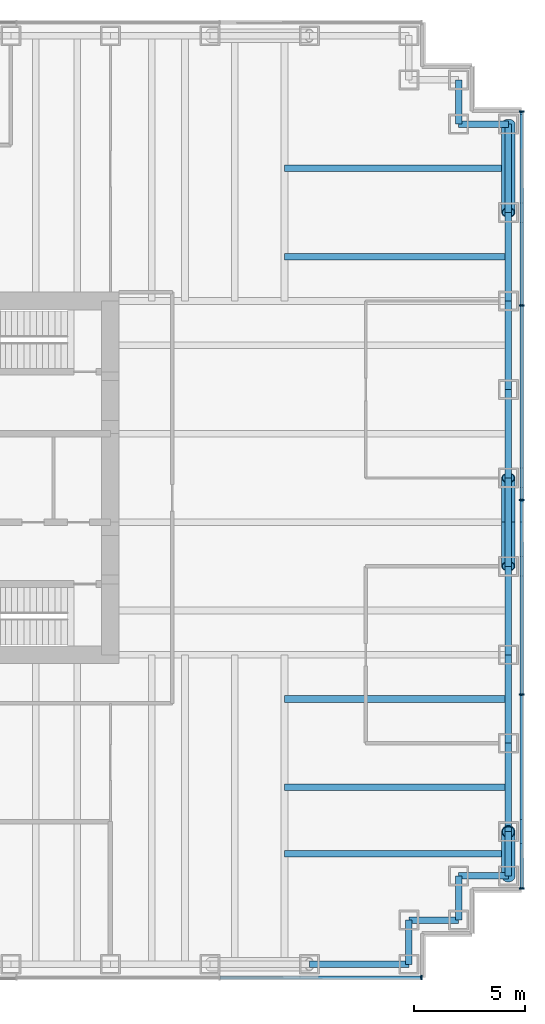
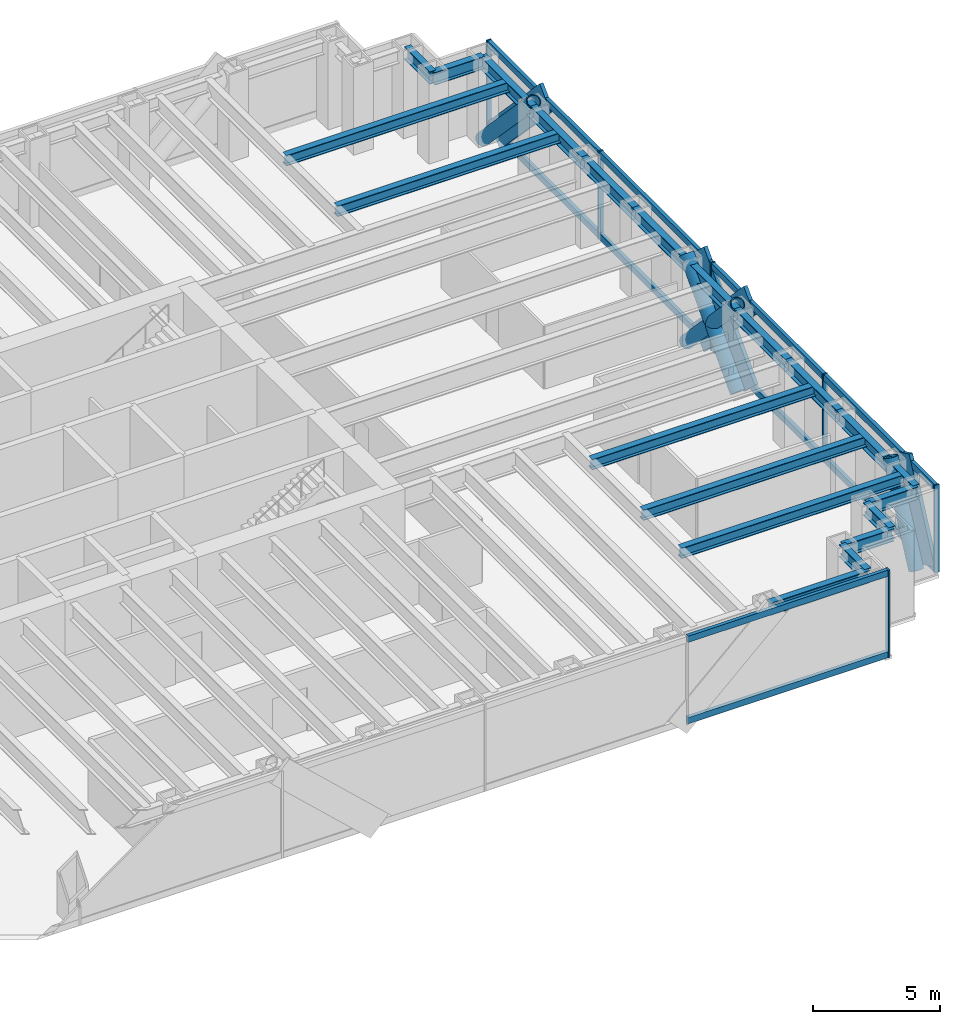
# One storey, part 8 of 15: 24 members, 21 beams, 2 elements without a shape of their own.
"""IFC4 building model written with IfcOpenShell, lengths in metres."""

from ifc_helpers import new_model, si_unit, direction, frame, origin, origin_2d, place, context, subcontext, project, spatial, rectangle, hollow_circle, i_section, extrude, material, material_profile, profile_set, type_object, element, aggregate, save


model = new_model("IFC4")

# Units and contexts
model_context = context("Model", 3, precision=1e-05, world=origin(), true_north=direction((0.0, 1.0)))
body_context = subcontext(model_context, "Body", "Model", "MODEL_VIEW")
ifc_project = project(units=[si_unit("LENGTHUNIT", "METRE"), si_unit("AREAUNIT", "SQUARE_METRE"), si_unit("VOLUMEUNIT", "CUBIC_METRE"), si_unit("PLANEANGLEUNIT", "RADIAN"), si_unit("MASSUNIT", "GRAM", prefix="KILO")], contexts=[model_context])

# Site, building, storey
site_placement = place(None, origin())
site = spatial("IfcSite", under=ifc_project, at=site_placement, CompositionType="ELEMENT")
building_placement = place(site_placement, origin())
building = spatial("IfcBuilding", under=site, at=building_placement, Name="Rheinbord Bourse Tower", CompositionType="ELEMENT")
storey_placement = place(building_placement, frame((0.0, 0.0, 236.199951171875)))
storey = spatial("IfcBuildingStorey", under=building, at=storey_placement, Name="L53", CompositionType="ELEMENT", Elevation=236.199951171875)

# Curtain wall, members
ifc_material_1 = material(Name="Dark glass and black aluminium", Category="aluminium")
curtain_wall_type = type_object("IfcCurtainWallType", Name="CW2 DARK GLASS CURTAIN WALL", PredefinedType="USERDEFINED", material=ifc_material_1)
curtain_wall_1_placement = place(storey_placement, origin())
curtain_wall_1 = element("IfcCurtainWall", 1, at=curtain_wall_1_placement, inside=storey, type_object=curtain_wall_type, Name="Curtain wall CW2 E L53", ObjectType="UNITISED CURTAIN WALL", PredefinedType="USERDEFINED")
ifc_material_2 = material(Name="Black anodised aluminium", Category="aluminium")
ifc_material_profile_1 = material_profile(ifc_material_2, rectangle(XDim=0.159912109375, YDim=1.2099609375, at=origin_2d()), Name="CW2 DIAGONAL MULLION 1210x160")
ifc_profile_set_1 = profile_set([ifc_material_profile_1], Name="Black anodised aluminium")
member_type_1 = type_object("IfcMemberType", Name="CW2 BLACK DIAGONAL MULLION", PredefinedType="USERDEFINED", material=ifc_profile_set_1)
member_1_placement = place(storey_placement, frame((72.60009765625, 6.0, 0.0), z_axis=(0.0, 0.429937654825, 0.902858578607), x_axis=(-1.0, 0.0, 0.0)))
member_1 = element("IfcMember", 2, at=member_1_placement, type_object=member_type_1, Name="CW2 diagonal mullion a", ObjectType="DIAGONAL MULLION", PredefinedType="USERDEFINED", context=body_context, shape_type="SweptSolid", body=[
    extrude(rectangle(XDim=0.159912109375, YDim=1.2099609375, at=origin_2d()), origin(), (0.0, 0.0, 1.0), 4.65185546875),
])
member_2_placement = place(storey_placement, frame((72.60009765625, 40.0, 0.0), z_axis=(0.0, -0.689659376744, 0.724133926887), x_axis=(1.0, 0.0, 0.0)))
member_2 = element("IfcMember", 3, at=member_2_placement, type_object=member_type_1, Name="CW2 diagonal mullion b", ObjectType="DIAGONAL MULLION", PredefinedType="USERDEFINED", context=body_context, shape_type="SweptSolid", body=[
    extrude(rectangle(XDim=0.159912109375, YDim=1.2099609375, at=origin_2d()), origin(), (0.0, 0.0, 1.0), 5.800048828125),
])
member_3_placement = place(storey_placement, frame((72.60009765625, 20.0, 0.0), z_axis=(0.0, 0.689659376744, 0.724133926887), x_axis=(-1.0, 0.0, 0.0)))
member_3 = element("IfcMember", 4, at=member_3_placement, type_object=member_type_1, Name="CW2 diagonal mullion c", ObjectType="DIAGONAL MULLION", PredefinedType="USERDEFINED", context=body_context, shape_type="SweptSolid", body=[
    extrude(rectangle(XDim=0.159912109375, YDim=1.2099609375, at=origin_2d()), origin(), (0.0, 0.0, 1.0), 5.800048828125),
])
member_4_placement = place(storey_placement, frame((72.60009765625, 24.0, 0.0), z_axis=(0.0, -0.689659376744, 0.724133926887), x_axis=(1.0, 0.0, 0.0)))
member_4 = element("IfcMember", 5, at=member_4_placement, type_object=member_type_1, Name="CW2 diagonal mullion d", ObjectType="DIAGONAL MULLION", PredefinedType="USERDEFINED", context=body_context, shape_type="SweptSolid", body=[
    extrude(rectangle(XDim=0.159912109375, YDim=1.2099609375, at=origin_2d()), origin(), (0.0, 0.0, 1.0), 5.800048828125),
])

# Curtain wall, member
curtain_wall_2_placement = place(storey_placement, origin())
curtain_wall_2 = element("IfcCurtainWall", 6, at=curtain_wall_2_placement, inside=storey, type_object=curtain_wall_type, Name="Curtain wall CW2 S L53", ObjectType="UNITISED CURTAIN WALL", PredefinedType="USERDEFINED")
ifc_material_3 = material(Name="Black anodised aluminium", Category="aluminium")
ifc_material_profile_2 = material_profile(ifc_material_3, rectangle(XDim=0.219970703125, YDim=0.070068359375, at=origin_2d()), Name="CW2 MULLION 70x220")
ifc_profile_set_2 = profile_set([ifc_material_profile_2], Name="Black anodised aluminium")
member_type_2 = type_object("IfcMemberType", Name="CW2 BLACK MULLION", PredefinedType="MULLION", material=ifc_profile_set_2)
member_5_placement = place(storey_placement, frame((68.06494140625, 1.39990234375, 0.0), z_axis=(0.0, 0.0, 1.0), x_axis=(0.0, 1.0, 0.0)))
member_5 = element("IfcMember", 7, at=member_5_placement, type_object=member_type_2, Name="CW2 mullion 8", PredefinedType="MULLION", context=body_context, shape_type="SweptSolid", body=[
    extrude(rectangle(XDim=0.219970703125, YDim=0.070068359375, at=origin_2d()), origin(), (0.0, 0.0, 1.0), 4.199951171875),
])

# Member
member_6_placement = place(storey_placement, frame((72.60009765625, 5.43505859375, 0.0), z_axis=(0.0, 0.0, 1.0), x_axis=(-1.0, 0.0, 0.0)))
member_6 = element("IfcMember", 8, at=member_6_placement, type_object=member_type_2, Name="CW2 mullion 1", PredefinedType="MULLION", context=body_context, shape_type="SweptSolid", body=[
    extrude(rectangle(XDim=0.219970703125, YDim=0.070068359375, at=origin_2d()), origin(), (0.0, 0.0, 1.0), 4.199951171875),
])

member_7_placement = place(storey_placement, frame((72.60009765625, 14.199951171875, 0.0), z_axis=(0.0, 0.0, 1.0), x_axis=(-1.0, 0.0, 0.0)))
member_7 = element("IfcMember", 9, at=member_7_placement, type_object=member_type_2, Name="CW2 mullion 2", PredefinedType="MULLION", context=body_context, shape_type="SweptSolid", body=[
    extrude(rectangle(XDim=0.219970703125, YDim=0.070068359375, at=origin_2d()), origin(), (0.0, 0.0, 1.0), 4.199951171875),
])

member_8_placement = place(storey_placement, frame((72.60009765625, 23.0, 0.0), z_axis=(0.0, 0.0, 1.0), x_axis=(-1.0, 0.0, 0.0)))
member_8 = element("IfcMember", 10, at=member_8_placement, type_object=member_type_2, Name="CW2 mullion 3", PredefinedType="MULLION", context=body_context, shape_type="SweptSolid", body=[
    extrude(rectangle(XDim=0.219970703125, YDim=0.070068359375, at=origin_2d()), origin(), (0.0, 0.0, 1.0), 4.199951171875),
])

member_9_placement = place(storey_placement, frame((72.60009765625, 31.800048828125, 0.0), z_axis=(0.0, 0.0, 1.0), x_axis=(-1.0, 0.0, 0.0)))
member_9 = element("IfcMember", 11, at=member_9_placement, type_object=member_type_2, Name="CW2 mullion 4", PredefinedType="MULLION", context=body_context, shape_type="SweptSolid", body=[
    extrude(rectangle(XDim=0.219970703125, YDim=0.070068359375, at=origin_2d()), origin(), (0.0, 0.0, 1.0), 4.199951171875),
])

member_10_placement = place(storey_placement, frame((72.60009765625, 40.56494140625, 0.0), z_axis=(0.0, 0.0, 1.0), x_axis=(-1.0, 0.0, 0.0)))
member_10 = element("IfcMember", 12, at=member_10_placement, type_object=member_type_2, Name="CW2 mullion 5", PredefinedType="MULLION", context=body_context, shape_type="SweptSolid", body=[
    extrude(rectangle(XDim=0.219970703125, YDim=0.070068359375, at=origin_2d()), origin(), (0.0, 0.0, 1.0), 4.199951171875),
])

ifc_material_4 = material(Name="Black anodised aluminium", Category="aluminium")
ifc_material_profile_3 = material_profile(ifc_material_4, rectangle(XDim=0.159912109375, YDim=0.300048828125, at=origin_2d()), Name="CW2 TRANSOM 300x160")
ifc_profile_set_3 = profile_set([ifc_material_profile_3], Name="Black anodised aluminium")
member_type_3 = type_object("IfcMemberType", Name="CW2 BLACK TRANSOM", PredefinedType="USERDEFINED", material=ifc_profile_set_3)
member_11_placement = place(storey_placement, frame((58.963623046875, 1.39990234375, 0.150146484375), z_axis=(1.0, 0.0, 0.0), x_axis=(0.0, 1.0, 0.0)))
member_11 = element("IfcMember", 13, at=member_11_placement, type_object=member_type_3, Name="CW2 transom 7.1", ObjectType="TRANSOM", PredefinedType="USERDEFINED", context=body_context, shape_type="SweptSolid", body=[
    extrude(rectangle(XDim=0.159912109375, YDim=0.300048828125, at=origin_2d()), origin(), (0.0, 0.0, 1.0), 9.06640625),
])

member_12_placement = place(storey_placement, frame((58.963623046875, 1.39990234375, 4.050048828125), z_axis=(1.0, 0.0, 0.0), x_axis=(0.0, 1.0, 0.0)))
member_12 = element("IfcMember", 14, at=member_12_placement, type_object=member_type_3, Name="CW2 transom 7.2", ObjectType="TRANSOM", PredefinedType="USERDEFINED", context=body_context, shape_type="SweptSolid", body=[
    extrude(rectangle(XDim=0.159912109375, YDim=0.300048828125, at=origin_2d()), origin(), (0.0, 0.0, 1.0), 9.06640625),
])

aggregate(curtain_wall_2, [member_5, member_11, member_12])

member_13_placement = place(storey_placement, frame((72.60009765625, 5.469970703125, 0.150146484375), z_axis=(0.0, 1.0, 0.0), x_axis=(-1.0, 0.0, 0.0)))
member_13 = element("IfcMember", 15, at=member_13_placement, type_object=member_type_3, Name="CW2 transom 1.1", ObjectType="TRANSOM", PredefinedType="USERDEFINED", context=body_context, shape_type="SweptSolid", body=[
    extrude(rectangle(XDim=0.159912109375, YDim=0.300048828125, at=origin_2d()), origin(), (0.0, 0.0, 1.0), 8.695068359375),
])

member_14_placement = place(storey_placement, frame((72.60009765625, 5.469970703125, 4.050048828125), z_axis=(0.0, 1.0, 0.0), x_axis=(-1.0, 0.0, 0.0)))
member_14 = element("IfcMember", 16, at=member_14_placement, type_object=member_type_3, Name="CW2 transom 1.2", ObjectType="TRANSOM", PredefinedType="USERDEFINED", context=body_context, shape_type="SweptSolid", body=[
    extrude(rectangle(XDim=0.159912109375, YDim=0.300048828125, at=origin_2d()), origin(), (0.0, 0.0, 1.0), 8.695068359375),
])

member_15_placement = place(storey_placement, frame((72.60009765625, 14.235107421875, 0.150146484375), z_axis=(0.0, 1.0, 0.0), x_axis=(-1.0, 0.0, 0.0)))
member_15 = element("IfcMember", 17, at=member_15_placement, type_object=member_type_3, Name="CW2 transom 2.1", ObjectType="TRANSOM", PredefinedType="USERDEFINED", context=body_context, shape_type="SweptSolid", body=[
    extrude(rectangle(XDim=0.159912109375, YDim=0.300048828125, at=origin_2d()), origin(), (0.0, 0.0, 1.0), 8.72998046875),
])

member_16_placement = place(storey_placement, frame((72.60009765625, 14.235107421875, 4.050048828125), z_axis=(0.0, 1.0, 0.0), x_axis=(-1.0, 0.0, 0.0)))
member_16 = element("IfcMember", 18, at=member_16_placement, type_object=member_type_3, Name="CW2 transom 2.2", ObjectType="TRANSOM", PredefinedType="USERDEFINED", context=body_context, shape_type="SweptSolid", body=[
    extrude(rectangle(XDim=0.159912109375, YDim=0.300048828125, at=origin_2d()), origin(), (0.0, 0.0, 1.0), 8.72998046875),
])

member_17_placement = place(storey_placement, frame((72.60009765625, 23.034912109375, 0.150146484375), z_axis=(0.0, 1.0, 0.0), x_axis=(-1.0, 0.0, 0.0)))
member_17 = element("IfcMember", 19, at=member_17_placement, type_object=member_type_3, Name="CW2 transom 3.1", ObjectType="TRANSOM", PredefinedType="USERDEFINED", context=body_context, shape_type="SweptSolid", body=[
    extrude(rectangle(XDim=0.159912109375, YDim=0.300048828125, at=origin_2d()), origin(), (0.0, 0.0, 1.0), 8.72998046875),
])

member_18_placement = place(storey_placement, frame((72.60009765625, 23.034912109375, 4.050048828125), z_axis=(0.0, 1.0, 0.0), x_axis=(-1.0, 0.0, 0.0)))
member_18 = element("IfcMember", 20, at=member_18_placement, type_object=member_type_3, Name="CW2 transom 3.2", ObjectType="TRANSOM", PredefinedType="USERDEFINED", context=body_context, shape_type="SweptSolid", body=[
    extrude(rectangle(XDim=0.159912109375, YDim=0.300048828125, at=origin_2d()), origin(), (0.0, 0.0, 1.0), 8.72998046875),
])

member_19_placement = place(storey_placement, frame((72.60009765625, 31.8349609375, 0.150146484375), z_axis=(0.0, 1.0, 0.0), x_axis=(-1.0, 0.0, 0.0)))
member_19 = element("IfcMember", 21, at=member_19_placement, type_object=member_type_3, Name="CW2 transom 4.1", ObjectType="TRANSOM", PredefinedType="USERDEFINED", context=body_context, shape_type="SweptSolid", body=[
    extrude(rectangle(XDim=0.159912109375, YDim=0.300048828125, at=origin_2d()), origin(), (0.0, 0.0, 1.0), 8.695068359375),
])

member_20_placement = place(storey_placement, frame((72.60009765625, 31.8349609375, 4.050048828125), z_axis=(0.0, 1.0, 0.0), x_axis=(-1.0, 0.0, 0.0)))
member_20 = element("IfcMember", 22, at=member_20_placement, type_object=member_type_3, Name="CW2 transom 4.2", ObjectType="TRANSOM", PredefinedType="USERDEFINED", context=body_context, shape_type="SweptSolid", body=[
    extrude(rectangle(XDim=0.159912109375, YDim=0.300048828125, at=origin_2d()), origin(), (0.0, 0.0, 1.0), 8.695068359375),
])

aggregate(curtain_wall_1, [member_6, member_7, member_8, member_9, member_10, member_13, member_14, member_15, member_16, member_17, member_18, member_19, member_20, member_1, member_2, member_3, member_4])

# Members
ifc_material_5 = material(Name="Steel S460", Category="steel")
ifc_material_profile_4 = material_profile(ifc_material_5, hollow_circle(Radius=0.304931640625, WallThickness=0.0400390625, at=origin_2d()), Name="CHS 610x40")
ifc_profile_set_4 = profile_set([ifc_material_profile_4], Name="Steel S460")
member_type_4 = type_object("IfcMemberType", Name="MEGABRACE CHS 610x40", PredefinedType="BRACE", material=ifc_profile_set_4)
member_21_placement = place(storey_placement, frame((72.0, 6.0, 0.0), z_axis=(0.0, 0.429937654825, 0.902858578607), x_axis=(-1.0, 0.0, 0.0)))
element("IfcMember", 23, at=member_21_placement, inside=storey, type_object=member_type_4, Name="Megabrace E face line a L53", PredefinedType="BRACE", context=body_context, shape_type="SweptSolid", body=[
    extrude(hollow_circle(Radius=0.304931640625, WallThickness=0.0400390625, at=origin_2d()), origin(), (0.0, 0.0, 1.0), 4.65185546875),
])
for number, where, z_axis, x_axis, name in (
    (24, (72.0, 40.0, 0.0), (0.0, -0.689659376744, 0.724133926887), (1.0, 0.0, 0.0), "Megabrace E face line b L53"),
    (25, (72.0, 20.0, 0.0), (0.0, 0.689659376744, 0.724133926887), (-1.0, 0.0, 0.0), "Megabrace E face line c L53"),
    (26, (72.0, 24.0, 0.0), (0.0, -0.689659376744, 0.724133926887), (1.0, 0.0, 0.0), "Megabrace E face line d L53"),
):
    element("IfcMember", number, at=place(storey_placement, frame(where, z_axis=z_axis, x_axis=x_axis)), inside=storey, type_object=member_type_4, Name=name, PredefinedType="BRACE", context=body_context, shape_type="SweptSolid", body=[
        extrude(hollow_circle(Radius=0.304931640625, WallThickness=0.0400390625, at=origin_2d()), origin(), (0.0, 0.0, 1.0), 5.800048828125),
    ])

# Beams
ifc_material_6 = material(Name="Steel S460", Category="steel")
ifc_material_profile_5 = material_profile(ifc_material_6, i_section(OverallWidth=0.300048828125, OverallDepth=0.60009765625, WebThickness=0.015380859375, FlangeThickness=0.030029296875, at=origin_2d()), Name="HEB 600")
ifc_profile_set_5 = profile_set([ifc_material_profile_5], Name="Steel S460")
beam_type_1 = type_object("IfcBeamType", Name="SPANDREL HEB 600", PredefinedType="SPANDREL", material=ifc_profile_set_5)
beam_1_placement = place(storey_placement, frame((63.0, 2.0, 3.739990234375), z_axis=(1.0, 0.0, 0.0), x_axis=(0.0, 1.0, 0.0)))
element("IfcBeam", 27, at=beam_1_placement, inside=storey, type_object=beam_type_1, Name="Spandrel S-63-SE-E under L54", PredefinedType="SPANDREL", context=body_context, shape_type="SweptSolid", body=[
    extrude(i_section(OverallWidth=0.300048828125, OverallDepth=0.60009765625, WebThickness=0.015380859375, FlangeThickness=0.030029296875, at=origin_2d()), origin(), (0.0, 0.0, 1.0), 4.5),
])
beam_2_placement = place(storey_placement, frame((67.5, 2.0, 3.739990234375), z_axis=(0.0, 1.0, 0.0), x_axis=(-1.0, 0.0, 0.0)))
element("IfcBeam", 28, at=beam_2_placement, inside=storey, type_object=beam_type_1, Name="Spandrel SE-E-SE-D under L54", PredefinedType="SPANDREL", context=body_context, shape_type="SweptSolid", body=[
    extrude(i_section(OverallWidth=0.300048828125, OverallDepth=0.60009765625, WebThickness=0.015380859375, FlangeThickness=0.030029296875, at=origin_2d()), origin(), (0.0, 0.0, 1.0), 2.0),
])
beam_3_placement = place(storey_placement, frame((67.5, 4.0, 3.739990234375), z_axis=(1.0, 0.0, 0.0), x_axis=(0.0, 1.0, 0.0)))
element("IfcBeam", 29, at=beam_3_placement, inside=storey, type_object=beam_type_1, Name="Spandrel SE-D-SE-C under L54", PredefinedType="SPANDREL", context=body_context, shape_type="SweptSolid", body=[
    extrude(i_section(OverallWidth=0.300048828125, OverallDepth=0.60009765625, WebThickness=0.015380859375, FlangeThickness=0.030029296875, at=origin_2d()), origin(), (0.0, 0.0, 1.0), 2.25),
])
beam_4_placement = place(storey_placement, frame((69.75, 4.0, 3.739990234375), z_axis=(0.0, 1.0, 0.0), x_axis=(-1.0, 0.0, 0.0)))
element("IfcBeam", 30, at=beam_4_placement, inside=storey, type_object=beam_type_1, Name="Spandrel SE-C-SE-B under L54", PredefinedType="SPANDREL", context=body_context, shape_type="SweptSolid", body=[
    extrude(i_section(OverallWidth=0.300048828125, OverallDepth=0.60009765625, WebThickness=0.015380859375, FlangeThickness=0.030029296875, at=origin_2d()), origin(), (0.0, 0.0, 1.0), 2.0),
])
beam_5_placement = place(storey_placement, frame((69.75, 6.0, 3.739990234375), z_axis=(1.0, 0.0, 0.0), x_axis=(0.0, 1.0, 0.0)))
element("IfcBeam", 31, at=beam_5_placement, inside=storey, type_object=beam_type_1, Name="Spandrel SE-B-SE-A under L54", PredefinedType="SPANDREL", context=body_context, shape_type="SweptSolid", body=[
    extrude(i_section(OverallWidth=0.300048828125, OverallDepth=0.60009765625, WebThickness=0.015380859375, FlangeThickness=0.030029296875, at=origin_2d()), origin(), (0.0, 0.0, 1.0), 2.25),
])
beam_6_placement = place(storey_placement, frame((72.0, 6.0, 3.739990234375), z_axis=(0.0, 1.0, 0.0), x_axis=(-1.0, 0.0, 0.0)))
element("IfcBeam", 32, at=beam_6_placement, inside=storey, type_object=beam_type_1, Name="Spandrel SE-A-E-8 under L54", PredefinedType="SPANDREL", context=body_context, shape_type="SweptSolid", body=[
    extrude(i_section(OverallWidth=0.300048828125, OverallDepth=0.60009765625, WebThickness=0.015380859375, FlangeThickness=0.030029296875, at=origin_2d()), origin(), (0.0, 0.0, 1.0), 2.0),
])
for number, where, z_axis, x_axis, name in (
    (33, (72.0, 8.0, 3.739990234375), (0.0, 1.0, 0.0), (-1.0, 0.0, 0.0), "Spandrel E-8-E-12 under L54"),
    (34, (72.0, 12.0, 3.739990234375), (0.0, 1.0, 0.0), (-1.0, 0.0, 0.0), "Spandrel E-12-E-16 under L54"),
    (35, (72.0, 16.0, 3.739990234375), (0.0, 1.0, 0.0), (-1.0, 0.0, 0.0), "Spandrel E-16-E-20 under L54"),
    (36, (72.0, 20.0, 3.739990234375), (0.0, 1.0, 0.0), (-1.0, 0.0, 0.0), "Spandrel E-20-E-24 under L54"),
    (37, (72.0, 24.0, 3.739990234375), (0.0, 1.0, 0.0), (-1.0, 0.0, 0.0), "Spandrel E-24-E-28 under L54"),
    (38, (72.0, 28.0, 3.739990234375), (0.0, 1.0, 0.0), (-1.0, 0.0, 0.0), "Spandrel E-28-E-32 under L54"),
    (39, (72.0, 32.0, 3.739990234375), (0.0, 1.0, 0.0), (-1.0, 0.0, 0.0), "Spandrel E-32-E-36 under L54"),
    (40, (72.0, 36.0, 3.739990234375), (0.0, 1.0, 0.0), (-1.0, 0.0, 0.0), "Spandrel E-36-NE-A under L54"),
):
    element("IfcBeam", number, at=place(storey_placement, frame(where, z_axis=z_axis, x_axis=x_axis)), inside=storey, type_object=beam_type_1, Name=name, PredefinedType="SPANDREL", context=body_context, shape_type="SweptSolid", body=[
        extrude(i_section(OverallWidth=0.300048828125, OverallDepth=0.60009765625, WebThickness=0.015380859375, FlangeThickness=0.030029296875, at=origin_2d()), origin(), (0.0, 0.0, 1.0), 4.0),
    ])
beam_7_placement = place(storey_placement, frame((72.0, 40.0, 3.739990234375), z_axis=(-1.0, 0.0, 0.0), x_axis=(0.0, -1.0, 0.0)))
element("IfcBeam", 41, at=beam_7_placement, inside=storey, type_object=beam_type_1, Name="Spandrel NE-A-NE-B under L54", PredefinedType="SPANDREL", context=body_context, shape_type="SweptSolid", body=[
    extrude(i_section(OverallWidth=0.300048828125, OverallDepth=0.60009765625, WebThickness=0.015380859375, FlangeThickness=0.030029296875, at=origin_2d()), origin(), (0.0, 0.0, 1.0), 2.25),
])
beam_8_placement = place(storey_placement, frame((69.75, 40.0, 3.739990234375), z_axis=(0.0, 1.0, 0.0), x_axis=(-1.0, 0.0, 0.0)))
element("IfcBeam", 42, at=beam_8_placement, inside=storey, type_object=beam_type_1, Name="Spandrel NE-B-NE-C under L54", PredefinedType="SPANDREL", context=body_context, shape_type="SweptSolid", body=[
    extrude(i_section(OverallWidth=0.300048828125, OverallDepth=0.60009765625, WebThickness=0.015380859375, FlangeThickness=0.030029296875, at=origin_2d()), origin(), (0.0, 0.0, 1.0), 2.0),
])
ifc_material_7 = material(Name="Steel S460", Category="steel")
ifc_material_profile_6 = material_profile(ifc_material_7, i_section(OverallWidth=0.300048828125, OverallDepth=0.5, WebThickness=0.014404296875, FlangeThickness=0.028076171875, at=origin_2d()), Name="HEB 500")
ifc_profile_set_6 = profile_set([ifc_material_profile_6], Name="Steel S460")
beam_type_2 = type_object("IfcBeamType", Name="TIE BEAM HEB 500", PredefinedType="JOIST", material=ifc_profile_set_6)
for number, where, z_axis, x_axis, name in (
    (43, (61.875, 7.0, 3.7900390625), (1.0, 0.0, 0.0), (0.0, 1.0, 0.0), "Tie east 7 L54"),
    (44, (61.875, 10.0, 3.7900390625), (1.0, 0.0, 0.0), (0.0, 1.0, 0.0), "Tie east 10 L54"),
    (45, (61.875, 14.0, 3.7900390625), (1.0, 0.0, 0.0), (0.0, 1.0, 0.0), "Tie east 14 L54"),
    (46, (61.875, 34.0, 3.7900390625), (1.0, 0.0, 0.0), (0.0, 1.0, 0.0), "Tie east 34 L54"),
    (47, (61.875, 38.0, 3.7900390625), (1.0, 0.0, 0.0), (0.0, 1.0, 0.0), "Tie east 38 L54"),
):
    element("IfcBeam", number, at=place(storey_placement, frame(where, z_axis=z_axis, x_axis=x_axis)), inside=storey, type_object=beam_type_2, Name=name, PredefinedType="JOIST", context=body_context, shape_type="SweptSolid", body=[
        extrude(i_section(OverallWidth=0.300048828125, OverallDepth=0.5, WebThickness=0.014404296875, FlangeThickness=0.028076171875, at=origin_2d()), origin(), (0.0, 0.0, 1.0), 10.125),
    ])

save(model, "model.ifc")
